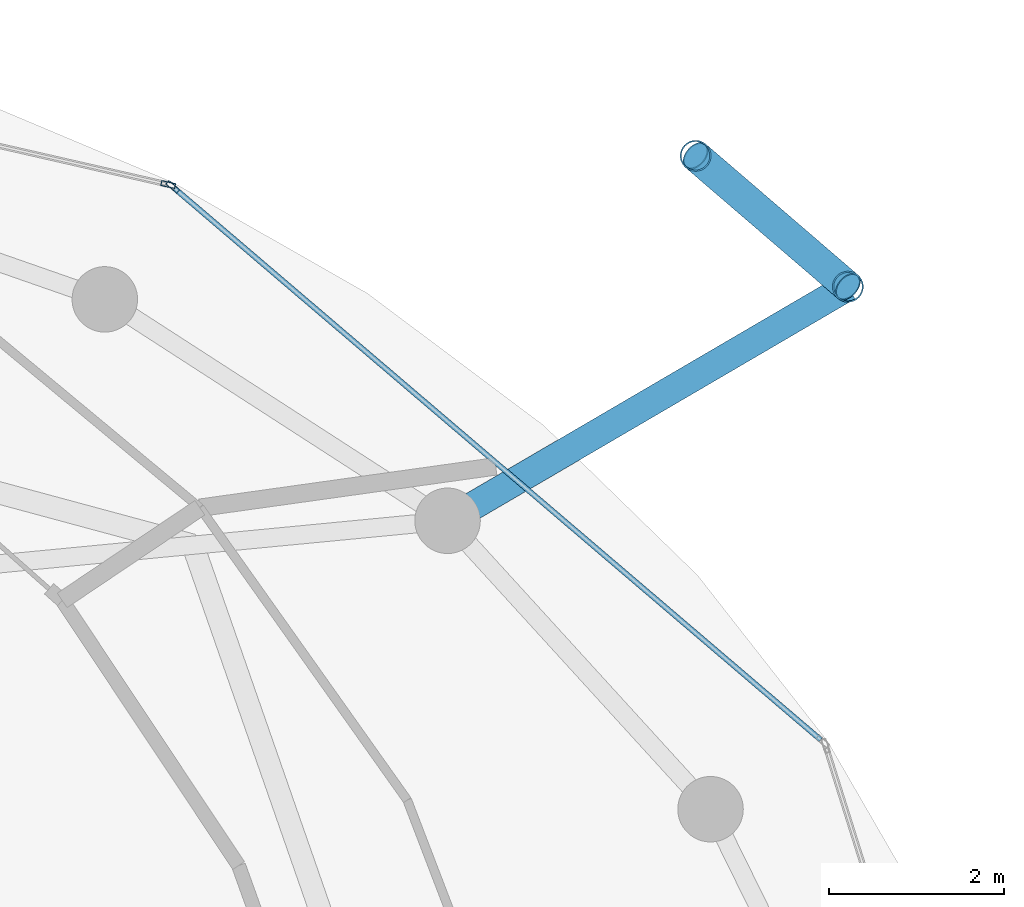
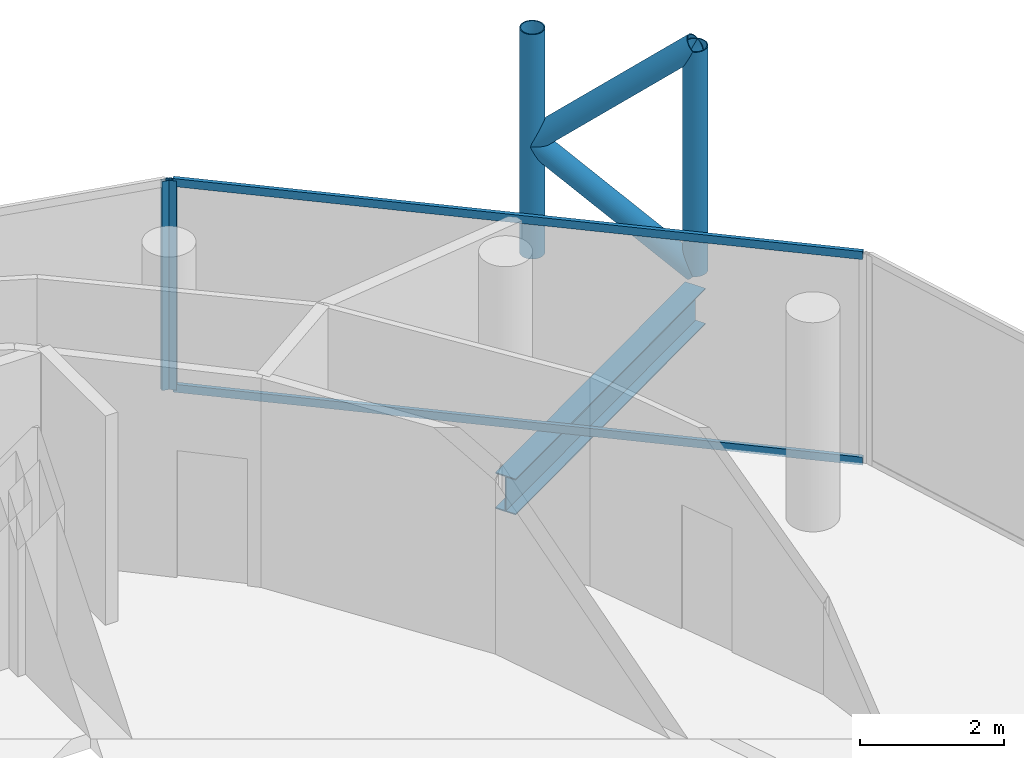
# One storey, part 18 of 24: 8 members, 1 beam, 2 elements without a shape of their own.
"""IFC4 building model written with IfcOpenShell, lengths in metres."""

import ifcopenshell
import ifcopenshell.guid

model = None  # the IFC model being written
_history = None  # IfcOwnerHistory: only IFC2X3 demands one
_inside = {}  # id of a spatial element -> (the spatial element, [elements in it])
_under = {}  # id of a project, library or spatial element -> (it, [spatial elements below it])
_declared = {}  # id of a project -> (the project, [libraries it declares])
_typed = {}  # id of a type object -> (the type object, [elements of that type])
_made_of = {}  # id of a material, layer set ... -> (it, [elements and type objects made of it])


def new_model(schema):
    """Start an empty IFC model of exactly this schema.

    Asked for "IFC4X3", IfcOpenShell would pick the latest addendum, in which some entities
    have other attributes; the version numbers below select the first issue.
    IFC2X3 requires an IfcOwnerHistory on every rooted entity: one is made here for all.
    """
    global model, _history
    if schema == "IFC4X3":
        model = ifcopenshell.file(schema_version=(4, 3, 0, 0))
    else:
        model = ifcopenshell.file(schema=schema)
    _inside.clear()
    _under.clear()
    _declared.clear()
    _typed.clear()
    _made_of.clear()
    _history = None
    if model.schema == "IFC2X3":
        org = make("IfcOrganization", Name="unknown")
        user = make(
            "IfcPersonAndOrganization",
            ThePerson=make("IfcPerson", FamilyName="unknown"),
            TheOrganization=org,
        )
        app = make(
            "IfcApplication",
            ApplicationDeveloper=org,
            Version="unknown",
            ApplicationFullName="unknown",
            ApplicationIdentifier="unknown",
        )
        _history = make(
            "IfcOwnerHistory",
            OwningUser=user,
            OwningApplication=app,
            ChangeAction="ADDED",
            CreationDate=0,
        )
    return model


def make(cls, **values):
    """One entity of the class cls with the attributes given. An attribute that is None is left unset."""
    return model.create_entity(
        cls, **{name: value for name, value in values.items() if value is not None}
    )


def rooted(cls, **values):
    """An entity with a GlobalId (a new one), such as an element, a storey or a relation."""
    return make(cls, GlobalId=ifcopenshell.guid.new(), OwnerHistory=_history, **values)


def si_unit(unit_type, name, prefix=None):
    """IfcSIUnit, for example si_unit("LENGTHUNIT", "METRE", prefix="MILLI")."""
    return make("IfcSIUnit", UnitType=unit_type, Prefix=prefix, Name=name)


def assignment(units):
    """IfcUnitAssignment: the units of a project."""
    return None if units is None else make("IfcUnitAssignment", Units=units)


def point(xyz):
    """IfcCartesianPoint."""
    return None if xyz is None else make("IfcCartesianPoint", Coordinates=xyz)


def direction(xyz):
    """IfcDirection."""
    return None if xyz is None else make("IfcDirection", DirectionRatios=xyz)


def frame(location, z_axis=None, x_axis=None):
    """IfcAxis2Placement3D, a coordinate frame: its origin and axes. An axis left out is left unset."""
    return make(
        "IfcAxis2Placement3D",
        Location=point(location),
        Axis=direction(z_axis),
        RefDirection=direction(x_axis),
    )


def frame_2d(location, x_axis=None):
    """IfcAxis2Placement2D, a coordinate frame in the plane: its origin and x axis."""
    return make(
        "IfcAxis2Placement2D", Location=point(location), RefDirection=direction(x_axis)
    )


def origin():
    """The frame at (0, 0, 0) with its axes left unset."""
    return frame((0.0, 0.0, 0.0))


def origin_2d():
    """The frame at (0, 0) in the plane with its x axis left unset."""
    return frame_2d((0.0, 0.0))


def place(relative_to, where):
    """IfcLocalPlacement: puts the frame where relative to a parent placement (None: the world)."""
    return make(
        "IfcLocalPlacement", PlacementRelTo=relative_to, RelativePlacement=where
    )


def context(
    kind, dimensions, precision=None, world=None, true_north=None, identifier=None
):
    """IfcGeometricRepresentationContext, for example the 3D "Model" context."""
    return make(
        "IfcGeometricRepresentationContext",
        ContextIdentifier=identifier,
        ContextType=kind,
        CoordinateSpaceDimension=dimensions,
        Precision=precision,
        WorldCoordinateSystem=world,
        TrueNorth=true_north,
    )


def subcontext(parent, identifier, kind, view, scale=None):
    """IfcGeometricRepresentationSubContext, for example "Body" below "Model"."""
    return make(
        "IfcGeometricRepresentationSubContext",
        ContextIdentifier=identifier,
        ContextType=kind,
        ParentContext=parent,
        TargetScale=scale,
        TargetView=view,
    )


def project(units=None, contexts=None):
    """IfcProject with its units and contexts."""
    return rooted(
        "IfcProject",
        Name="project",
        RepresentationContexts=contexts,
        UnitsInContext=assignment(units),
    )


def spatial(cls, under=None, at=None, **own):
    """A site, building, storey or space (cls), placed at a placement, below another one or the project."""
    s = rooted(cls, ObjectPlacement=at, **own)
    if under is not None:
        _under.setdefault(under.id(), (under, []))[1].append(s)
    return s


def profile(cls, at=None, kind="AREA", **sizes):
    """A parametric profile (cls). Its sizes go by their IFC names, for example OverallWidth=200.0."""
    return make(cls, ProfileType=kind, Position=at, **sizes)


def hollow_rectangle(**sizes):
    """IfcRectangleHollowProfileDef."""
    return profile("IfcRectangleHollowProfileDef", **sizes)


def hollow_circle(**sizes):
    """IfcCircleHollowProfileDef."""
    return profile("IfcCircleHollowProfileDef", **sizes)


def i_section(**sizes):
    """IfcIShapeProfileDef."""
    return profile("IfcIShapeProfileDef", **sizes)


def extrude(swept, where, along, depth):
    """IfcExtrudedAreaSolid: the profile swept, set in the frame where, extruded along a direction by depth."""
    return make(
        "IfcExtrudedAreaSolid",
        SweptArea=swept,
        Position=where,
        ExtrudedDirection=direction(along),
        Depth=depth,
    )


def shape(context_of_items, identifier, shape_type, items):
    """IfcShapeRepresentation: the items that make up one representation, for example the "Body"."""
    return make(
        "IfcShapeRepresentation",
        ContextOfItems=context_of_items,
        RepresentationIdentifier=identifier,
        RepresentationType=shape_type,
        Items=items,
    )


def material(Name=None, Category=None):
    """IfcMaterial."""
    return make("IfcMaterial", Name=Name, Category=Category)


def layer(
    of_material, thickness, ventilated=None, Name=None, Category=None, Priority=None
):
    """IfcMaterialLayer: one layer of a wall or slab, of a material (None: an air gap)."""
    return make(
        "IfcMaterialLayer",
        Material=of_material,
        LayerThickness=thickness,
        IsVentilated=ventilated,
        Name=Name,
        Category=Category,
        Priority=Priority,
    )


def layer_set(layers, Name=None):
    """IfcMaterialLayerSet."""
    return make("IfcMaterialLayerSet", MaterialLayers=layers, LayerSetName=Name)


def material_profile(
    of_material, cross_section, Name=None, Category=None, Priority=None
):
    """IfcMaterialProfile: a cross section and its material."""
    return make(
        "IfcMaterialProfile",
        Name=Name,
        Material=of_material,
        Profile=cross_section,
        Priority=Priority,
        Category=Category,
    )


def profile_set(profiles, Name=None, composite=None):
    """IfcMaterialProfileSet."""
    return make(
        "IfcMaterialProfileSet",
        Name=Name,
        MaterialProfiles=profiles,
        CompositeProfile=composite,
    )


def made_of(thing, what):
    """Note that an element or type object is made of a material, layer set ...; save() writes the relation."""
    if what is not None:
        _made_of.setdefault(what.id(), (what, []))[1].append(thing)
    return thing


def type_object(cls, material=None, **own):
    """A type object (cls), such as IfcWallType, which elements share."""
    return made_of(rooted(cls, **own), material)


def element(
    cls,
    number,
    at=None,
    inside=None,
    cuts=None,
    type_object=None,
    material=None,
    context=None,
    identifier="Body",
    shape_type=None,
    held_by="IfcProductDefinitionShape",
    body=None,
    shapes=None,
    **own,
):
    """One element of the class cls, such as IfcWall. Its Tag is "e" and its number.

    at: its placement. inside: the storey or other place that contains it. cuts: it is an
    opening in that element (IfcRelVoidsElement). A single representation is given by context,
    identifier, shape_type and body (its items); several are given by shapes. held_by: the class
    of the entity that holds the representations. save() writes the other relations.
    """
    e = rooted(cls, Tag="e%d" % number, ObjectPlacement=at, **own)
    if body is not None:
        shapes = [shape(context, identifier, shape_type, body)]
    if shapes is not None:
        e.Representation = make(held_by, Representations=shapes)
    if inside is not None:
        _inside.setdefault(inside.id(), (inside, []))[1].append(e)
    if cuts is not None:
        rooted(
            "IfcRelVoidsElement", RelatingBuildingElement=cuts, RelatedOpeningElement=e
        )
    if type_object is not None:
        _typed.setdefault(type_object.id(), (type_object, []))[1].append(e)
    return made_of(e, material)


def aggregate(whole, parts):
    """IfcRelAggregates: a whole, such as a stair, and the parts it consists of."""
    return rooted("IfcRelAggregates", RelatingObject=whole, RelatedObjects=parts)


def save(model, path):
    """Write the relations noted so far, then the file.

    IfcRelAggregates (storeys below a building ...), IfcRelContainedInSpatialStructure (elements
    in a storey), IfcRelDefinesByType, IfcRelAssociatesMaterial and IfcRelDeclares: one each for
    every whole, place, type object, material and project.
    """
    for whole, parts in _under.values():
        aggregate(whole, parts)
    for where, things in _inside.values():
        rooted(
            "IfcRelContainedInSpatialStructure",
            RelatedElements=things,
            RelatingStructure=where,
        )
    for kind, things in _typed.values():
        rooted("IfcRelDefinesByType", RelatedObjects=things, RelatingType=kind)
    for what, things in _made_of.values():
        rooted("IfcRelAssociatesMaterial", RelatedObjects=things, RelatingMaterial=what)
    for by, libraries in _declared.values():
        rooted("IfcRelDeclares", RelatingContext=by, RelatedDefinitions=libraries)
    model.write(path)


model = new_model("IFC4")

# Units and contexts
model_context = context("Model", 3, precision=1e-05, world=origin(), true_north=direction((0.0, 1.0)))
body_context = subcontext(model_context, "Body", "Model", "MODEL_VIEW")
ifc_project = project(units=[si_unit("LENGTHUNIT", "METRE"), si_unit("AREAUNIT", "SQUARE_METRE"), si_unit("VOLUMEUNIT", "CUBIC_METRE"), si_unit("PLANEANGLEUNIT", "RADIAN"), si_unit("MASSUNIT", "GRAM", prefix="KILO")], contexts=[model_context])

# Site, building, storey
site_placement = place(None, origin())
site = spatial("IfcSite", under=ifc_project, at=site_placement, CompositionType="ELEMENT")
building_placement = place(site_placement, origin())
building = spatial("IfcBuilding", under=site, at=building_placement, Name="Nuhasar Tower", CompositionType="ELEMENT")
storey_placement = place(building_placement, frame((0.0, 0.0, 274.60009765625)))
storey = spatial("IfcBuildingStorey", under=building, at=storey_placement, Name="L68", CompositionType="ELEMENT", Elevation=274.60009765625)

# Beam
ifc_material_1 = material(Name="Steel S355", Category="steel")
ifc_material_profile_1 = material_profile(ifc_material_1, i_section(OverallWidth=0.323974609375, OverallDepth=0.611083984375, WebThickness=0.0126953125, FlangeThickness=0.01904296875, at=origin_2d()), Name="W24X104")
ifc_profile_set_1 = profile_set([ifc_material_profile_1], Name="Steel S355")
beam_type = type_object("IfcBeamType", Name="BM-TIE-W24X104", PredefinedType="BEAM", material=ifc_profile_set_1)
beam_placement = place(storey_placement, frame((52.39990234375, 38.077880859375, -0.566162109375), z_axis=(0.863271521286, 0.504739814693, 0.0), x_axis=(-0.504739814693, 0.863271521286, 0.0)))
element("IfcBeam", 1, at=beam_placement, inside=storey, type_object=beam_type, Name="L68 Exoskeleton Node Tie Beam 02", PredefinedType="BEAM", context=body_context, shape_type="SweptSolid", body=[
    extrude(i_section(OverallWidth=0.323974609375, OverallDepth=0.611083984375, WebThickness=0.0126953125, FlangeThickness=0.01904296875, at=origin_2d()), origin(), (0.0, 0.0, 1.0), 5.31005859375),
])

# Curtain wall, member
ifc_material_2 = material(Name="Aluminium 6063-T6", Category="aluminium")
ifc_layer = layer(ifc_material_2, 0.18994140625)
ifc_layer_set = layer_set([ifc_layer], Name="Aluminium 6063-T6")
curtain_wall_type = type_object("IfcCurtainWallType", Name="CW-Z4-PEN", PredefinedType="NOTDEFINED", material=ifc_layer_set)
curtain_wall_1_placement = place(storey_placement, origin())
curtain_wall_1 = element("IfcCurtainWall", 2, at=curtain_wall_1_placement, inside=storey, type_object=curtain_wall_type, Name="L68 Unitised Curtain Wall 02", PredefinedType="NOTDEFINED")
ifc_material_profile_2 = material_profile(ifc_material_2, hollow_rectangle(XDim=0.06005859375, YDim=0.1650390625, WallThickness=0.0048828125, at=origin_2d()), Name="CWM-5")
ifc_profile_set_2 = profile_set([ifc_material_profile_2], Name="Aluminium 6063-T6")
member_type_1 = type_object("IfcMemberType", Name="CW-MUL-S5", PredefinedType="MULLION", material=ifc_profile_set_2)
member_1_placement = place(storey_placement, frame((49.2529296875, 41.901611328125, 0.0), z_axis=(0.0, 0.0, 1.0), x_axis=(-0.649141996205, -0.760667252327, 0.0)))
member_1 = element("IfcMember", 3, at=member_1_placement, type_object=member_type_1, Name="CW-Z4 mullion 2", PredefinedType="MULLION", context=body_context, shape_type="SweptSolid", body=[
    extrude(hollow_rectangle(XDim=0.06005859375, YDim=0.1650390625, WallThickness=0.0048828125, at=origin_2d()), origin(), (0.0, 0.0, 1.0), 3.539794921875),
])

curtain_wall_2_placement = place(storey_placement, origin())
curtain_wall_2 = element("IfcCurtainWall", 4, at=curtain_wall_2_placement, inside=storey, type_object=curtain_wall_type, Name="L68 Unitised Curtain Wall 03", PredefinedType="NOTDEFINED")
member_2_placement = place(storey_placement, frame((49.20068359375, 41.927734375, 0.0), z_axis=(0.0, 0.0, 1.0), x_axis=(-0.222889487645, -0.97484371891, 0.0)))
member_2 = element("IfcMember", 5, at=member_2_placement, type_object=member_type_1, Name="CW-Z4 mullion 1", PredefinedType="MULLION", context=body_context, shape_type="SweptSolid", body=[
    extrude(hollow_rectangle(XDim=0.06005859375, YDim=0.1650390625, WallThickness=0.0048828125, at=origin_2d()), origin(), (0.0, 0.0, 1.0), 3.539794921875),
])
aggregate(curtain_wall_2, [member_2])

# Member
ifc_material_profile_3 = material_profile(ifc_material_2, hollow_rectangle(XDim=0.06005859375, YDim=0.135009765625, WallThickness=0.00439453125, at=origin_2d()), Name="CWT-5")
ifc_profile_set_3 = profile_set([ifc_material_profile_3], Name="Aluminium 6063-T6")
member_type_2 = type_object("IfcMemberType", Name="CW-TRN-S5", PredefinedType="USERDEFINED", material=ifc_profile_set_3)
member_3_placement = place(storey_placement, frame((56.67333984375, 35.56884765625, 0.02978515625), z_axis=(-0.760660035709, 0.649150452573, 0.0), x_axis=(-0.649150452573, -0.760660035709, 0.0)))
member_3 = element("IfcMember", 6, at=member_3_placement, type_object=member_type_2, Name="CW-Z4 transom 1.1", ObjectType="TRANSOM", PredefinedType="USERDEFINED", context=body_context, shape_type="SweptSolid", body=[
    extrude(hollow_rectangle(XDim=0.06005859375, YDim=0.135009765625, WallThickness=0.00439453125, at=origin_2d()), origin(), (0.0, 0.0, 1.0), 9.725341796875),
])

member_4_placement = place(storey_placement, frame((56.67333984375, 35.56884765625, 3.510009765625), z_axis=(-0.760660035709, 0.649150452573, 0.0), x_axis=(-0.649150452573, -0.760660035709, 0.0)))
member_4 = element("IfcMember", 7, at=member_4_placement, type_object=member_type_2, Name="CW-Z4 transom 1.2", ObjectType="TRANSOM", PredefinedType="USERDEFINED", context=body_context, shape_type="SweptSolid", body=[
    extrude(hollow_rectangle(XDim=0.06005859375, YDim=0.135009765625, WallThickness=0.00439453125, at=origin_2d()), origin(), (0.0, 0.0, 1.0), 9.725341796875),
])

aggregate(curtain_wall_1, [member_1, member_3, member_4])

# Members
ifc_material_3 = material(Name="Steel S460", Category="steel")
ifc_material_profile_4 = material_profile(ifc_material_3, hollow_circle(Radius=0.177734375, WallThickness=0.015869140625, at=origin_2d()), Name="HSS355.6X15.9")
ifc_profile_set_4 = profile_set([ifc_material_profile_4], Name="Steel S460")
member_type_3 = type_object("IfcMemberType", Name="EXO-BRONZE-356", PredefinedType="BRACE", material=ifc_profile_set_4)
for number, where, z_axis, x_axis, name in (
    (8, (56.98388671875, 40.758056640625, 0.0), (0.0, 0.0, 1.0), (1.0, 0.0, 0.0), "L68 Exoskeleton Chord Column EC-02A"),
    (9, (55.239990234375, 42.257080078125, 0.0), (0.0, 0.0, 1.0), (1.0, 0.0, 0.0), "L68 Exoskeleton Chord Column EC-02B"),
):
    element("IfcMember", number, at=place(storey_placement, frame(where, z_axis=z_axis, x_axis=x_axis)), inside=storey, type_object=member_type_3, Name=name, PredefinedType="BRACE", context=body_context, shape_type="SweptSolid", body=[
        extrude(hollow_circle(Radius=0.177734375, WallThickness=0.015869140625, at=origin_2d()), origin(), (0.0, 0.0, 1.0), 3.7998046875),
    ])
for number, where, z_axis, x_axis, name in (
    (10, (56.98388671875, 40.758056640625, 0.0), (-0.584625223306, 0.502533791278, 0.636924749792), (-0.65185738425, -0.758341579104, 0.0), "L68 Bronze Diagrid Brace W1-02"),
    (11, (55.239990234375, 42.257080078125, 1.89990234375), (0.584625223306, -0.502533791278, 0.636924749792), (0.65185738425, 0.758341579104, 0.0), "L68 Bronze Diagrid Brace W2-02"),
):
    element("IfcMember", number, at=place(storey_placement, frame(where, z_axis=z_axis, x_axis=x_axis)), inside=storey, type_object=member_type_3, Name=name, PredefinedType="BRACE", context=body_context, shape_type="SweptSolid", body=[
        extrude(hollow_circle(Radius=0.177734375, WallThickness=0.015869140625, at=origin_2d()), origin(), (0.0, 0.0, 1.0), 2.98291015625),
    ])

save(model, "model.ifc")
